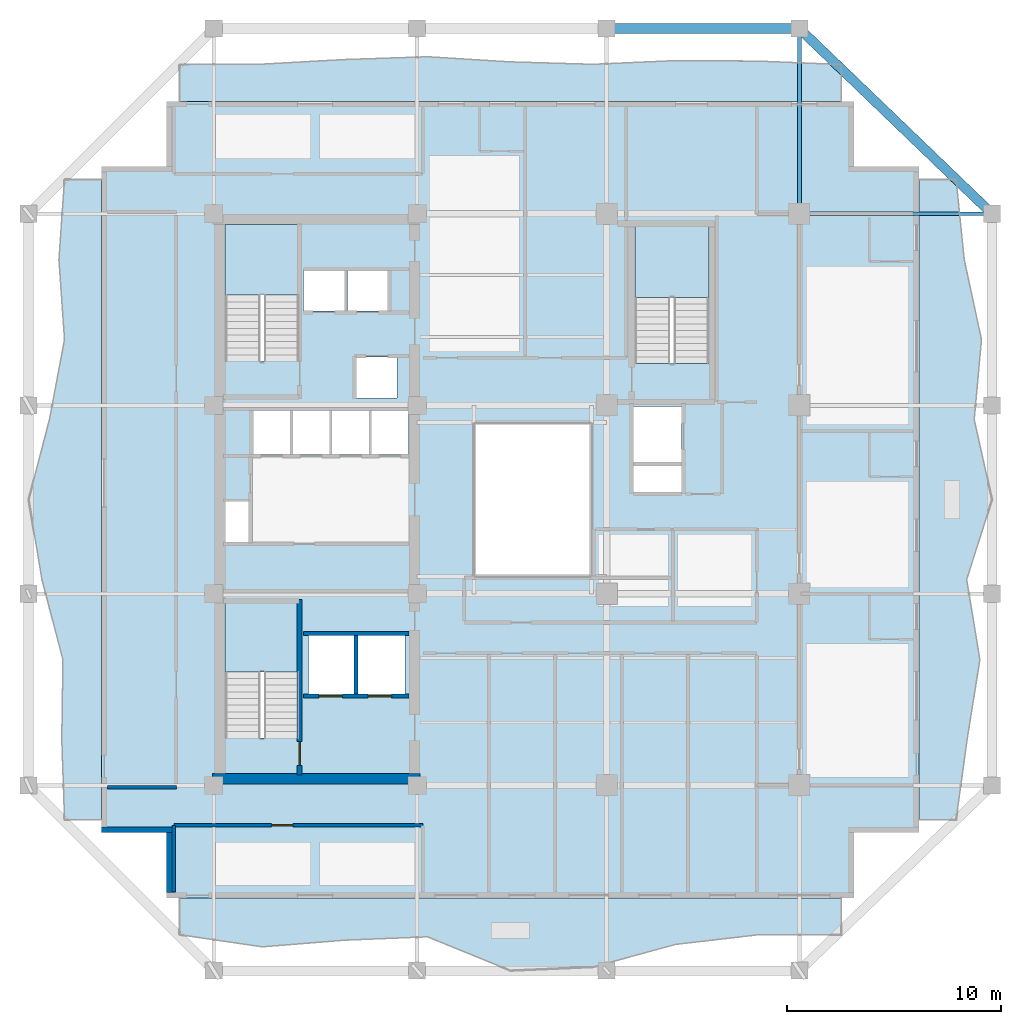
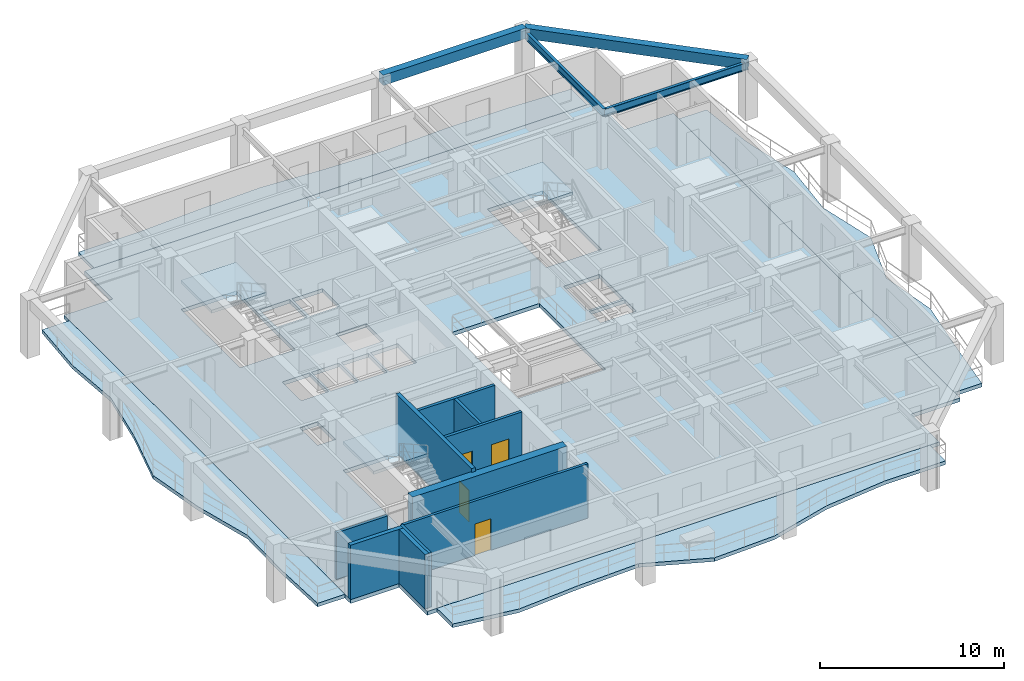
# One storey, part 2 of 10: 10 walls, 8 slabs, 4 beams, 4 doors, 4 openings, 3 elements without a shape of their own.
"""IFC4 building model written with IfcOpenShell, lengths in metres."""

from ifc_helpers import new_model, si_unit, direction, frame, frame_2d, origin, origin_2d, place, context, subcontext, project, spatial, polyline, rectangle, i_section, outline, extrude, material, layer, layer_set, material_profile, profile_set, type_object, element, fill, aggregate, save


model = new_model("IFC4")

# Units and contexts
model_context = context("Model", 3, precision=1e-05, world=origin(), true_north=direction((0.0, 1.0)))
body_context = subcontext(model_context, "Body", "Model", "MODEL_VIEW")
ifc_project = project(units=[si_unit("LENGTHUNIT", "METRE"), si_unit("AREAUNIT", "SQUARE_METRE"), si_unit("VOLUMEUNIT", "CUBIC_METRE"), si_unit("PLANEANGLEUNIT", "RADIAN"), si_unit("MASSUNIT", "GRAM", prefix="KILO")], contexts=[model_context])

# Site, building, storey
site_placement = place(None, origin())
site = spatial("IfcSite", under=ifc_project, at=site_placement, CompositionType="ELEMENT")
building_placement = place(site_placement, origin())
building = spatial("IfcBuilding", under=site, at=building_placement, Name="Kundavana Baori Tower", CompositionType="ELEMENT")
storey_placement = place(building_placement, frame((0.0, 0.0, 138.64990234375)))
storey = spatial("IfcBuildingStorey", under=building, at=storey_placement, Name="L33", CompositionType="ELEMENT", Elevation=138.64990234375)

# Beams
ifc_material_1 = material(Name="Concrete C50/60", Category="concrete")
ifc_material_profile_1 = material_profile(ifc_material_1, rectangle(XDim=0.449951171875, YDim=0.679931640625, at=origin_2d()), Name="RC BM 450x680")
ifc_profile_set_1 = profile_set([ifc_material_profile_1], Name="Concrete C50/60")
beam_type_1 = type_object("IfcBeamType", Name="BM-PF-680", PredefinedType="SPANDREL", material=ifc_profile_set_1)
beam_1_placement = place(storey_placement, frame((33.800048828125, 50.60009765625, 3.510009765625), z_axis=(1.0, 0.0, 0.0), x_axis=(0.0, 1.0, 0.0)))
element("IfcBeam", 1, at=beam_1_placement, inside=storey, type_object=beam_type_1, Name="L33 Perimeter Frame Ring Beam N3", PredefinedType="SPANDREL", context=body_context, shape_type="SweptSolid", body=[
    extrude(rectangle(XDim=0.449951171875, YDim=0.679931640625, at=origin_2d()), origin(), (0.0, 0.0, 1.0), 9.0),
])
beam_2_placement = place(storey_placement, frame((42.800048828125, 50.60009765625, 3.510009765625), z_axis=(0.720981122985, -0.692954702921, 0.0), x_axis=(0.692954702921, 0.720981122985, 0.0)))
element("IfcBeam", 2, at=beam_2_placement, inside=storey, type_object=beam_type_1, Name="L33 Notched Corner Perimeter Beam NE", PredefinedType="SPANDREL", context=body_context, shape_type="SweptSolid", body=[
    extrude(rectangle(XDim=0.449951171875, YDim=0.679931640625, at=origin_2d()), origin(), (0.0, 0.0, 1.0), 12.48291015625),
])
ifc_material_2 = material(Name="Structural Steel S355JR", Category="steel")
ifc_material_profile_2 = material_profile(ifc_material_2, i_section(OverallWidth=0.179931640625, OverallDepth=0.5, WebThickness=0.01025390625, FlangeThickness=0.01708984375, FilletRadius=0.01708984375, at=origin_2d()), Name="ISMB 500")
ifc_profile_set_2 = profile_set([ifc_material_profile_2], Name="Structural Steel S355JR")
beam_type_2 = type_object("IfcBeamType", Name="BM-TIE-500", PredefinedType="BEAM", material=ifc_profile_set_2)
beam_3_placement = place(storey_placement, frame((42.800048828125, 41.949951171875, 3.35009765625), z_axis=(0.0, 1.0, 0.0), x_axis=(-1.0, 0.0, 0.0)))
element("IfcBeam", 3, at=beam_3_placement, inside=storey, type_object=beam_type_2, Name="L33 North Radial Loggia Tie Beam N4", PredefinedType="BEAM", context=body_context, shape_type="SweptSolid", body=[
    extrude(i_section(OverallWidth=0.179931640625, OverallDepth=0.5, WebThickness=0.01025390625, FlangeThickness=0.01708984375, FilletRadius=0.01708984375, at=origin_2d()), origin(), (0.0, 0.0, 1.0), 8.650146484375),
])
beam_4_placement = place(storey_placement, frame((42.800048828125, 41.949951171875, 3.35009765625), z_axis=(1.0, 0.0, 0.0), x_axis=(0.0, 1.0, 0.0)))
element("IfcBeam", 4, at=beam_4_placement, inside=storey, type_object=beam_type_2, Name="L33 East Radial Loggia Tie Beam E4", PredefinedType="BEAM", context=body_context, shape_type="SweptSolid", body=[
    extrude(i_section(OverallWidth=0.179931640625, OverallDepth=0.5, WebThickness=0.01025390625, FlangeThickness=0.01708984375, FilletRadius=0.01708984375, at=origin_2d()), origin(), (0.0, 0.0, 1.0), 9.0),
])

# Slab
ifc_material_3 = material(Name="Concrete C40/50", Category="concrete")
ifc_layer_1 = layer(ifc_material_3, 0.25, Name="SLB-FLR-250")
ifc_layer_set_1 = layer_set([ifc_layer_1], Name="Concrete C40/50")
slab_type_1 = type_object("IfcSlabType", Name="SLB-FLR-250", PredefinedType="FLOOR", material=ifc_layer_set_1)
slab_1_placement = place(storey_placement, frame((0.0, 0.0, -0.25)))
element("IfcSlab", 5, at=slab_1_placement, inside=storey, type_object=slab_type_1, Name="L33 Structural Floor Slab", PredefinedType="FLOOR", context=body_context, shape_type="SweptSolid", body=[
    extrude(outline(polyline([(13.25, 10.0), (45.35009765625, 10.0), (45.35009765625, 13.050048828125), (48.39990234375, 13.050048828125), (48.39990234375, 44.14990234375), (45.35009765625, 44.14990234375), (45.35009765625, 47.199951171875), (13.25, 47.199951171875), (13.25, 44.14990234375), (10.199951171875, 44.14990234375), (10.199951171875, 13.050048828125), (13.25, 13.050048828125), (13.25, 10.0)]), holes=[polyline([(19.43994140625, 17.4619140625), (19.43994140625, 23.85009765625), (15.97998046875, 23.85009765625), (15.97998046875, 17.4619140625), (19.43994140625, 17.4619140625)]), polyline([(19.43994140625, 35.06201171875), (19.43994140625, 41.449951171875), (15.97998046875, 41.449951171875), (15.97998046875, 35.06201171875), (19.43994140625, 35.06201171875)]), polyline([(38.580078125, 34.9619140625), (38.580078125, 41.35009765625), (35.1201171875, 41.35009765625), (35.1201171875, 34.9619140625), (38.580078125, 34.9619140625)]), polyline([(17.300048828125, 30.699951171875), (19.02001953125, 30.699951171875), (19.02001953125, 32.75), (17.300048828125, 32.75), (17.300048828125, 30.699951171875)]), polyline([(19.139892578125, 30.699951171875), (20.860107421875, 30.699951171875), (20.860107421875, 32.75), (19.139892578125, 32.75), (19.139892578125, 30.699951171875)]), polyline([(20.97998046875, 30.699951171875), (22.699951171875, 30.699951171875), (22.699951171875, 32.75), (20.97998046875, 32.75), (20.97998046875, 30.699951171875)]), polyline([(22.820068359375, 30.699951171875), (24.5400390625, 30.699951171875), (24.5400390625, 32.75), (22.820068359375, 32.75), (22.820068359375, 30.699951171875)]), polyline([(19.64990234375, 37.39990234375), (21.550048828125, 37.39990234375), (21.550048828125, 39.300048828125), (19.64990234375, 39.300048828125), (19.64990234375, 37.39990234375)]), polyline([(21.699951171875, 37.39990234375), (23.60009765625, 37.39990234375), (23.60009765625, 39.300048828125), (21.699951171875, 39.300048828125), (21.699951171875, 37.39990234375)]), polyline([(22.10009765625, 33.35009765625), (24.0, 33.35009765625), (24.0, 35.25), (22.10009765625, 35.25), (22.10009765625, 33.35009765625)]), polyline([(19.8798828125, 19.5), (22.02001953125, 19.5), (22.02001953125, 22.25), (19.8798828125, 22.25), (19.8798828125, 19.5)]), polyline([(22.179931640625, 19.5), (24.3798828125, 19.5), (24.3798828125, 22.25), (22.179931640625, 22.25), (22.179931640625, 19.5)]), polyline([(35.050048828125, 30.35009765625), (37.300048828125, 30.35009765625), (37.300048828125, 32.949951171875), (35.050048828125, 32.949951171875), (35.050048828125, 30.35009765625)]), polyline([(15.949951171875, 26.60009765625), (17.080078125, 26.60009765625), (17.080078125, 28.5), (15.949951171875, 28.5), (15.949951171875, 26.60009765625)]), polyline([(35.050048828125, 28.949951171875), (37.300048828125, 28.949951171875), (37.300048828125, 30.199951171875), (35.050048828125, 30.199951171875), (35.050048828125, 28.949951171875)]), polyline([(27.60009765625, 25.0), (33.10009765625, 25.0), (33.10009765625, 32.199951171875), (27.60009765625, 32.199951171875), (27.60009765625, 25.0)])]), origin(), (0.0, 0.0, 1.0), 0.25),
])

# Stair, slab
ifc_material_4 = material(Name="Concrete C40/50", Category="concrete")
stair_type = type_object("IfcStairType", Name="STR-DOG-1650", PredefinedType="HALF_TURN_STAIR", material=ifc_material_4)
stair_1_placement = place(storey_placement, origin())
stair_1 = element("IfcStair", 6, at=stair_1_placement, inside=storey, type_object=stair_type, Name="L33 Protected Exit Stair ST1", PredefinedType="HALF_TURN_STAIR")
ifc_material_5 = material(Name="Concrete C40/50", Category="concrete")
ifc_layer_2 = layer(ifc_material_5, 0.199951171875, Name="SLB-LND-200")
ifc_layer_set_2 = layer_set([ifc_layer_2], Name="Concrete C40/50")
slab_type_2 = type_object("IfcSlabType", Name="SLB-LND-200", PredefinedType="LANDING", material=ifc_layer_set_2)
slab_2_placement = place(storey_placement, frame((0.0, 0.0, 1.72509765625)))
slab_2 = element("IfcSlab", 7, at=slab_2_placement, type_object=slab_type_2, Name="ST1 landing 1", PredefinedType="LANDING", context=body_context, shape_type="SweptSolid", body=[
    extrude(outline(polyline([(19.43994140625, 20.550048828125), (19.43994140625, 23.85009765625), (15.97998046875, 23.85009765625), (15.97998046875, 20.550048828125), (19.43994140625, 20.550048828125)])), origin(), (0.0, 0.0, 1.0), 0.199951171875),
])
aggregate(stair_1, [slab_2])

stair_2_placement = place(storey_placement, origin())
stair_2 = element("IfcStair", 8, at=stair_2_placement, inside=storey, type_object=stair_type, Name="L33 Protected Exit Stair ST2", PredefinedType="HALF_TURN_STAIR")
slab_3_placement = place(storey_placement, frame((0.0, 0.0, 1.72509765625)))
slab_3 = element("IfcSlab", 9, at=slab_3_placement, type_object=slab_type_2, Name="ST2 landing 1", PredefinedType="LANDING", context=body_context, shape_type="SweptSolid", body=[
    extrude(outline(polyline([(19.43994140625, 38.14990234375), (19.43994140625, 41.449951171875), (15.97998046875, 41.449951171875), (15.97998046875, 38.14990234375), (19.43994140625, 38.14990234375)])), origin(), (0.0, 0.0, 1.0), 0.199951171875),
])
aggregate(stair_2, [slab_3])

stair_3_placement = place(storey_placement, origin())
stair_3 = element("IfcStair", 10, at=stair_3_placement, inside=storey, type_object=stair_type, Name="L33 Protected Exit Stair ST3", PredefinedType="HALF_TURN_STAIR")
slab_4_placement = place(storey_placement, frame((0.0, 0.0, 1.72509765625)))
slab_4 = element("IfcSlab", 11, at=slab_4_placement, type_object=slab_type_2, Name="ST3 landing 1", PredefinedType="LANDING", context=body_context, shape_type="SweptSolid", body=[
    extrude(outline(polyline([(38.580078125, 38.050048828125), (38.580078125, 41.35009765625), (35.1201171875, 41.35009765625), (35.1201171875, 38.050048828125), (38.580078125, 38.050048828125)])), origin(), (0.0, 0.0, 1.0), 0.199951171875),
])
aggregate(stair_3, [slab_4])

# Slabs
ifc_material_6 = material(Name="Concrete C40/50", Category="concrete")
ifc_layer_3 = layer(ifc_material_6, 0.239990234375, Name="SLB-LOG-240")
ifc_layer_set_3 = layer_set([ifc_layer_3], Name="Concrete C40/50")
slab_type_3 = type_object("IfcSlabType", Name="SLB-LOG-240", PredefinedType="FLOOR", material=ifc_layer_set_3)
slab_5_placement = place(storey_placement, frame((0.0, 0.0, -0.239990234375)))
element("IfcSlab", 12, at=slab_5_placement, inside=storey, type_object=slab_type_3, Name="L33 Planted Loggia Balcony Slab S", PredefinedType="FLOOR", context=body_context, shape_type="SweptSolid", body=[
    extrude(outline(polyline([(13.85009765625, 10.0), (44.75, 10.0), (44.75, 8.280029296875), (40.886962890625, 8.27587890625), (37.02490234375, 7.826904296875), (33.1630859375, 6.77001953125), (29.300048828125, 6.60009765625), (25.43798828125, 8.179931640625), (21.574951171875, 8.02294921875), (17.7119140625, 7.7119140625), (13.85009765625, 8.280029296875), (13.85009765625, 10.0)])), origin(), (0.0, 0.0, 1.0), 0.239990234375),
])
slab_6_placement = place(storey_placement, frame((0.0, 0.0, -0.239990234375)))
element("IfcSlab", 13, at=slab_6_placement, inside=storey, type_object=slab_type_3, Name="L33 Planted Loggia Balcony Slab E", PredefinedType="FLOOR", context=body_context, shape_type="SweptSolid", body=[
    extrude(outline(polyline([(48.39990234375, 13.64990234375), (48.39990234375, 43.550048828125), (50.1201171875, 43.550048828125), (50.5009765625, 39.81201171875), (51.306884765625, 36.074951171875), (50.967041015625, 32.3369140625), (51.800048828125, 28.60009765625), (50.615966796875, 24.862060546875), (51.23291015625, 21.125), (50.635009765625, 17.386962890625), (50.1201171875, 13.64990234375), (48.39990234375, 13.64990234375)])), origin(), (0.0, 0.0, 1.0), 0.239990234375),
])
slab_7_placement = place(storey_placement, frame((0.0, 0.0, -0.239990234375)))
element("IfcSlab", 14, at=slab_7_placement, inside=storey, type_object=slab_type_3, Name="L33 Planted Loggia Balcony Slab N", PredefinedType="FLOOR", context=body_context, shape_type="SweptSolid", body=[
    extrude(outline(polyline([(44.75, 47.199951171875), (13.85009765625, 47.199951171875), (13.85009765625, 48.919921875), (17.7119140625, 48.93896484375), (21.574951171875, 49.153076171875), (25.43798828125, 49.282958984375), (29.300048828125, 49.0439453125), (33.1630859375, 48.929931640625), (37.02490234375, 49.10400390625), (40.886962890625, 49.080078125), (44.75, 48.919921875), (44.75, 47.199951171875)])), origin(), (0.0, 0.0, 1.0), 0.239990234375),
])
slab_8_placement = place(storey_placement, frame((0.0, 0.0, -0.239990234375)))
element("IfcSlab", 15, at=slab_8_placement, inside=storey, type_object=slab_type_3, Name="L33 Planted Loggia Balcony Slab W", PredefinedType="FLOOR", context=body_context, shape_type="SweptSolid", body=[
    extrude(outline(polyline([(10.199951171875, 43.550048828125), (10.199951171875, 13.64990234375), (8.47998046875, 13.64990234375), (8.35205078125, 17.386962890625), (8.405029296875, 21.125), (7.424072265625, 24.862060546875), (6.800048828125, 28.60009765625), (7.77392578125, 32.3369140625), (8.47900390625, 36.074951171875), (8.218017578125, 39.81201171875), (8.47998046875, 43.550048828125), (10.199951171875, 43.550048828125)])), origin(), (0.0, 0.0, 1.0), 0.239990234375),
])

# Wall, opening, door
ifc_material_7 = material(Name="Concrete C50/60", Category="concrete")
ifc_layer_4 = layer(ifc_material_7, 0.39990234375, Name="WL-CORE-400")
ifc_layer_set_4 = layer_set([ifc_layer_4], Name="Concrete C50/60")
wall_type_1 = type_object("IfcWallType", Name="WL-CORE-400", PredefinedType="SHEAR", material=ifc_layer_set_4)
wall_1_placement = place(storey_placement, frame((19.4599609375, 15.739990234375, 0.0), z_axis=(0.0, 0.0, 1.0), x_axis=(0.0, 1.0, 0.0)))
wall_1 = element("IfcWall", 16, at=wall_1_placement, inside=storey, type_object=wall_type_1, Name="WL-L33-ST1-E", PredefinedType="SHEAR", context=body_context, shape_type="SweptSolid", body=[
    extrude(rectangle(XDim=8.199951171875, YDim=0.239990234375, at=frame_2d((4.10009765625, 0.0))), origin(), (0.0, 0.0, 1.0), 3.85009765625),
])
opening_1_placement = place(wall_1_placement, frame((0.449951171875, 0.0, 0.0)))
opening_1 = element("IfcOpeningElement", 17, at=opening_1_placement, cuts=wall_1, Name="Opening FD-110", PredefinedType="OPENING", context=body_context, shape_type="SweptSolid", body=[
    extrude(rectangle(XDim=1.10009765625, YDim=2.10009765625, at=frame_2d((0.550048828125, 1.050048828125))), frame((0.0, 0.1298828125, 0.0), z_axis=(0.0, -1.0, 0.0), x_axis=(1.0, 0.0, 0.0)), (0.0, 0.0, 1.0), 0.260009765625),
])
ifc_material_8 = material(Name="Galvanised Steel Fire-Rated Door Leaf", Category="steel")
door_type_1 = type_object("IfcDoorType", Name="DR-FD120-1100", OperationType="NOTDEFINED", PredefinedType="DOOR", material=ifc_material_8)
door_1_placement = place(opening_1_placement, origin())
door_1 = element("IfcDoor", 18, at=door_1_placement, inside=storey, type_object=door_type_1, Name="DR-L33-ST1", OperationType="SINGLE_SWING_LEFT", OverallHeight=2.10009765625, OverallWidth=1.10009765625, PredefinedType="DOOR", context=body_context, shape_type="SweptSolid", body=[
    extrude(rectangle(XDim=1.10009765625, YDim=2.10009765625, at=frame_2d((0.550048828125, 1.050048828125))), frame((0.0, 0.02490234375, 0.0), z_axis=(0.0, -1.0, 0.0), x_axis=(1.0, 0.0, 0.0)), (0.0, 0.0, 1.0), 0.050048828125),
])
fill(opening_1, door_1)

# Walls
ifc_material_9 = material(Name="Concrete C50/60", Category="concrete")
ifc_layer_5 = layer(ifc_material_9, 0.5, Name="WL-CORE-500")
ifc_layer_set_5 = layer_set([ifc_layer_5], Name="Concrete C50/60")
wall_type_2 = type_object("IfcWallType", Name="WL-CORE-500", PredefinedType="SHEAR", material=ifc_layer_set_5)
wall_2_placement = place(storey_placement, frame((15.39990234375, 15.56005859375, 0.0), z_axis=(0.0, 0.0, 1.0), x_axis=(1.0, 0.0, 0.0)))
element("IfcWall", 19, at=wall_2_placement, inside=storey, type_object=wall_type_2, Name="L33 Offset Core South Shear Wall", PredefinedType="SHEAR", context=body_context, shape_type="SweptSolid", body=[
    extrude(rectangle(XDim=9.68017578125, YDim=0.5, at=frame_2d((4.840087890625, 0.0))), origin(), (0.0, 0.0, 1.0), 3.60009765625),
])
ifc_material_10 = material(Name="Kiln-Fired Terracotta Brick-Slip Masonry on Concrete C40/50", Category="masonry")
ifc_layer_6 = layer(ifc_material_10, 0.260009765625, Name="WL-EXT-BRK-260")
ifc_layer_set_6 = layer_set([ifc_layer_6], Name="Kiln-Fired Terracotta Brick-Slip Masonry on Concrete C40/50")
wall_type_3 = type_object("IfcWallType", Name="WL-EXT-BRK-260", PredefinedType="SOLIDWALL", material=ifc_layer_set_6)
wall_3_placement = place(storey_placement, frame((10.199951171875, 13.179931640625, 0.0), z_axis=(0.0, 0.0, 1.0), x_axis=(1.0, 0.0, 0.0)))
element("IfcWall", 20, at=wall_3_placement, inside=storey, type_object=wall_type_3, Name="L33 Exterior Insulated Facade Wall 11", PredefinedType="SOLIDWALL", context=body_context, shape_type="SweptSolid", body=[
    extrude(rectangle(XDim=3.31005859375, YDim=0.260009765625, at=frame_2d((1.655029296875, 0.0))), origin(), (0.0, 0.0, 1.0), 3.60009765625),
])
wall_4_placement = place(storey_placement, frame((13.3798828125, 13.050048828125, 0.0), z_axis=(0.0, 0.0, 1.0), x_axis=(0.0, -1.0, 0.0)))
element("IfcWall", 21, at=wall_4_placement, inside=storey, type_object=wall_type_3, Name="L33 Exterior Insulated Facade Wall 12", PredefinedType="SOLIDWALL", context=body_context, shape_type="SweptSolid", body=[
    extrude(rectangle(XDim=2.7900390625, YDim=0.260009765625, at=frame_2d((1.39501953125, 0.0))), origin(), (0.0, 0.0, 1.0), 3.60009765625),
])
ifc_material_11 = material(Name="Fire-Rated Gypsum Drywall on Galvanised Steel Studs", Category="steel")
ifc_layer_7 = layer(ifc_material_11, 0.1650390625, Name="WL-PART-165")
ifc_layer_set_7 = layer_set([ifc_layer_7], Name="Fire-Rated Gypsum Drywall on Galvanised Steel Studs")
wall_type_4 = type_object("IfcWallType", Name="WL-PART-165", PredefinedType="PARTITIONING", material=ifc_layer_set_7)
wall_5_placement = place(storey_placement, frame((10.47998046875, 15.159912109375, 0.0), z_axis=(0.0, 0.0, 1.0), x_axis=(1.0, 0.0, 0.0)))
element("IfcWall", 22, at=wall_5_placement, inside=storey, type_object=wall_type_4, Name="WL-L33-HWS", PredefinedType="PARTITIONING", context=body_context, shape_type="SweptSolid", body=[
    extrude(rectangle(XDim=3.219970703125, YDim=0.1650390625, at=frame_2d((1.60986328125, 0.0))), origin(), (0.0, 0.0, 1.0), 3.10009765625),
])

# Wall, opening, door
wall_6_placement = place(storey_placement, frame((13.590087890625, 13.3798828125, 0.0), z_axis=(0.0, 0.0, 1.0), x_axis=(1.0, 0.0, 0.0)))
wall_6 = element("IfcWall", 23, at=wall_6_placement, inside=storey, type_object=wall_type_4, Name="WL-L33-HSC", PredefinedType="PARTITIONING", context=body_context, shape_type="SweptSolid", body=[
    extrude(rectangle(XDim=11.6298828125, YDim=0.1650390625, at=frame_2d((5.81494140625, 0.0))), origin(), (0.0, 0.0, 1.0), 3.60009765625),
])
opening_2_placement = place(wall_6_placement, frame((4.56005859375, 0.0, 0.0)))
opening_2 = element("IfcOpeningElement", 24, at=opening_2_placement, cuts=wall_6, Name="Opening ID-100", PredefinedType="OPENING", context=body_context, shape_type="SweptSolid", body=[
    extrude(rectangle(XDim=1.0, YDim=2.080078125, at=frame_2d((0.5, 1.0400390625))), frame((0.0, 0.092529296875, 0.0), z_axis=(0.0, -1.0, 0.0), x_axis=(1.0, 0.0, 0.0)), (0.0, 0.0, 1.0), 0.18505859375),
])
ifc_material_12 = material(Name="Engineered Teak Solid-Core Timber Veneer", Category="wood")
door_type_2 = type_object("IfcDoorType", Name="DR-INT-1000", OperationType="NOTDEFINED", PredefinedType="DOOR", material=ifc_material_12)
door_2_placement = place(opening_2_placement, frame((1.0, 0.0, 0.0), z_axis=(0.0, 0.0, 1.0), x_axis=(-1.0, 0.0, 0.0)))
door_2 = element("IfcDoor", 25, at=door_2_placement, inside=storey, type_object=door_type_2, Name="DR-L33-HMSW", OperationType="SINGLE_SWING_LEFT", OverallHeight=2.080078125, OverallWidth=1.0, PredefinedType="DOOR", context=body_context, shape_type="SweptSolid", body=[
    extrude(rectangle(XDim=1.0, YDim=2.080078125, at=frame_2d((0.5, 1.0400390625))), frame((0.0, 0.02490234375, 0.0), z_axis=(0.0, -1.0, 0.0), x_axis=(1.0, 0.0, 0.0)), (0.0, 0.0, 1.0), 0.050048828125),
])
fill(opening_2, door_2)

# Wall
wall_7_placement = place(storey_placement, frame((13.590087890625, 10.280029296875, 0.0), z_axis=(0.0, 0.0, 1.0), x_axis=(0.0, 1.0, 0.0)))
element("IfcWall", 26, at=wall_7_placement, inside=storey, type_object=wall_type_4, Name="WL-L33-HSCW", PredefinedType="PARTITIONING", context=body_context, shape_type="SweptSolid", body=[
    extrude(rectangle(XDim=3.099853515625, YDim=0.1650390625, at=frame_2d((1.5498046875, 0.0))), origin(), (0.0, 0.0, 1.0), 3.60009765625),
])

# Wall, openings, doors
ifc_material_13 = material(Name="Autoclaved Aerated Concrete Blockwork Masonry", Category="masonry")
ifc_layer_8 = layer(ifc_material_13, 0.179931640625, Name="WL-SHAFT-180")
ifc_layer_set_8 = layer_set([ifc_layer_8], Name="Autoclaved Aerated Concrete Blockwork Masonry")
wall_type_5 = type_object("IfcWallType", Name="WL-SHAFT-180", PredefinedType="SOLIDWALL", material=ifc_layer_set_8)
wall_8_placement = place(storey_placement, frame((19.639892578125, 19.419921875, 0.0), z_axis=(0.0, 0.0, 1.0), x_axis=(1.0, 0.0, 0.0)))
wall_8 = element("IfcWall", 27, at=wall_8_placement, inside=storey, type_object=wall_type_5, Name="WL-L33-FFL-S", PredefinedType="SOLIDWALL", context=body_context, shape_type="SweptSolid", body=[
    extrude(rectangle(XDim=4.940185546875, YDim=0.179931640625, at=frame_2d((2.47021484375, 0.0))), origin(), (0.0, 0.0, 1.0), 3.60009765625),
])
opening_3_placement = place(wall_8_placement, frame((0.719970703125, 0.0, 0.0)))
opening_3 = element("IfcOpeningElement", 28, at=opening_3_placement, cuts=wall_8, Name="Opening LD-110", PredefinedType="OPENING", context=body_context, shape_type="SweptSolid", body=[
    extrude(rectangle(XDim=1.10009765625, YDim=2.10009765625, at=frame_2d((0.550048828125, 1.050048828125))), frame((0.0, 0.10009765625, 0.0), z_axis=(0.0, -1.0, 0.0), x_axis=(1.0, 0.0, 0.0)), (0.0, 0.0, 1.0), 0.199951171875),
])
opening_4_placement = place(wall_8_placement, frame((3.02001953125, 0.0, 0.0)))
opening_4 = element("IfcOpeningElement", 29, at=opening_4_placement, cuts=wall_8, Name="Opening LD-110", PredefinedType="OPENING", context=body_context, shape_type="SweptSolid", body=[
    extrude(rectangle(XDim=1.10009765625, YDim=2.10009765625, at=frame_2d((0.550048828125, 1.050048828125))), frame((0.0, 0.10009765625, 0.0), z_axis=(0.0, -1.0, 0.0), x_axis=(1.0, 0.0, 0.0)), (0.0, 0.0, 1.0), 0.199951171875),
])
ifc_material_14 = material(Name="Galvanised Steel Fire-Rated Door Leaf", Category="steel")
door_type_3 = type_object("IfcDoorType", Name="DR-SLIDE-LD1100", OperationType="NOTDEFINED", PredefinedType="DOOR", material=ifc_material_14)
door_3_placement = place(opening_3_placement, origin())
door_3 = element("IfcDoor", 30, at=door_3_placement, inside=storey, type_object=door_type_3, Name="DR-L33-LD-FFL-1", OperationType="DOUBLE_DOOR_SLIDING", OverallHeight=2.10009765625, OverallWidth=1.10009765625, PredefinedType="DOOR", context=body_context, shape_type="SweptSolid", body=[
    extrude(rectangle(XDim=1.10009765625, YDim=2.10009765625, at=frame_2d((0.550048828125, 1.050048828125))), frame((0.0, 0.02490234375, 0.0), z_axis=(0.0, -1.0, 0.0), x_axis=(1.0, 0.0, 0.0)), (0.0, 0.0, 1.0), 0.050048828125),
])
fill(opening_3, door_3)
door_4_placement = place(opening_4_placement, origin())
door_4 = element("IfcDoor", 31, at=door_4_placement, inside=storey, type_object=door_type_3, Name="DR-L33-LD-FFL-2", OperationType="DOUBLE_DOOR_SLIDING", OverallHeight=2.10009765625, OverallWidth=1.10009765625, PredefinedType="DOOR", context=body_context, shape_type="SweptSolid", body=[
    extrude(rectangle(XDim=1.10009765625, YDim=2.10009765625, at=frame_2d((0.550048828125, 1.050048828125))), frame((0.0, 0.02490234375, 0.0), z_axis=(0.0, -1.0, 0.0), x_axis=(1.0, 0.0, 0.0)), (0.0, 0.0, 1.0), 0.050048828125),
])
fill(opening_4, door_4)

# Walls
wall_9_placement = place(storey_placement, frame((22.10009765625, 19.510009765625, 0.0), z_axis=(0.0, 0.0, 1.0), x_axis=(0.0, 1.0, 0.0)))
element("IfcWall", 32, at=wall_9_placement, inside=storey, type_object=wall_type_5, Name="WL-L33-FFL-MID", PredefinedType="SOLIDWALL", context=body_context, shape_type="SweptSolid", body=[
    extrude(rectangle(XDim=2.739990234375, YDim=0.179931640625, at=frame_2d((1.3701171875, 0.0))), origin(), (0.0, 0.0, 1.0), 3.60009765625),
])
wall_10_placement = place(storey_placement, frame((19.639892578125, 22.340087890625, 0.0), z_axis=(0.0, 0.0, 1.0), x_axis=(1.0, 0.0, 0.0)))
element("IfcWall", 33, at=wall_10_placement, inside=storey, type_object=wall_type_5, Name="WL-L33-FFL-N", PredefinedType="SOLIDWALL", context=body_context, shape_type="SweptSolid", body=[
    extrude(rectangle(XDim=4.940185546875, YDim=0.179931640625, at=frame_2d((2.47021484375, 0.0))), origin(), (0.0, 0.0, 1.0), 3.60009765625),
])

save(model, "model.ifc")
